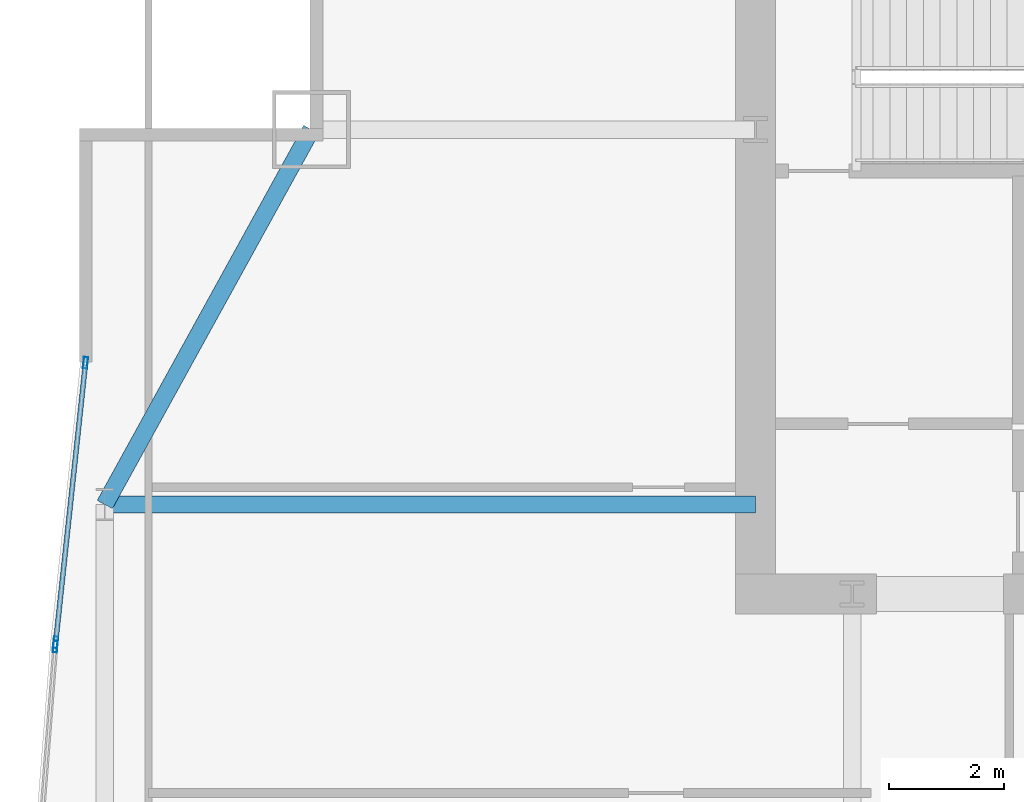
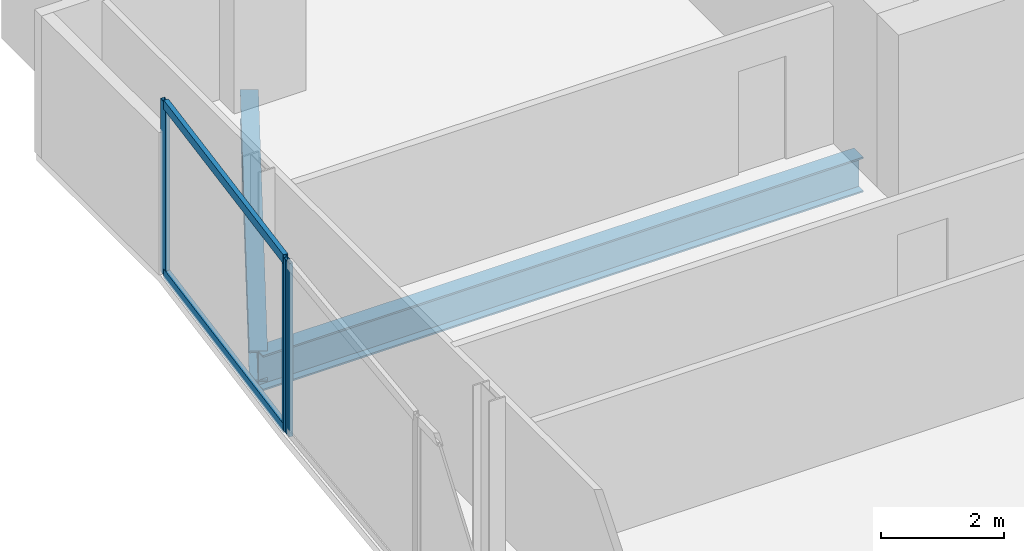
# One storey, part 17 of 29: 5 members, 2 beams, 2 elements without a shape of their own.
"""IFC4 building model written with IfcOpenShell, lengths in metres."""

from ifc_helpers import new_model, si_unit, direction, frame, origin, origin_2d, place, context, subcontext, project, spatial, hollow_rectangle, i_section, extrude, material, material_profile, profile_set, type_object, element, aggregate, save


model = new_model("IFC4")

# Units and contexts
model_context = context("Model", 3, precision=1e-05, world=origin(), true_north=direction((0.0, 1.0)))
body_context = subcontext(model_context, "Body", "Model", "MODEL_VIEW")
ifc_project = project(units=[si_unit("LENGTHUNIT", "METRE"), si_unit("AREAUNIT", "SQUARE_METRE"), si_unit("VOLUMEUNIT", "CUBIC_METRE"), si_unit("PLANEANGLEUNIT", "RADIAN"), si_unit("MASSUNIT", "GRAM", prefix="KILO")], contexts=[model_context])

# Site, building, storey
site_placement = place(None, origin())
site = spatial("IfcSite", under=ifc_project, at=site_placement, CompositionType="ELEMENT")
building_placement = place(site_placement, origin())
building = spatial("IfcBuilding", under=site, at=building_placement, Name="Khoronbel Lancet Exchange", CompositionType="ELEMENT")
storey_placement = place(building_placement, frame((0.0, 0.0, 143.39990234375)))
storey = spatial("IfcBuildingStorey", under=building, at=storey_placement, Name="L35", CompositionType="ELEMENT", Elevation=143.39990234375)

# Beams
ifc_material_1 = material(Name="Steel S355", Category="steel")
ifc_material_profile_1 = material_profile(ifc_material_1, i_section(OverallWidth=0.300048828125, OverallDepth=0.699951171875, WebThickness=0.01708984375, FlangeThickness=0.031982421875, at=origin_2d()), Name="HEB 700")
ifc_profile_set_1 = profile_set([ifc_material_profile_1], Name="Steel S355")
beam_type_1 = type_object("IfcBeamType", Name="BM-BG3", PredefinedType="BEAM", material=ifc_profile_set_1)
beam_1_placement = place(storey_placement, frame((5.27001953125, 43.199951171875, -0.510009765625), z_axis=(1.0, 0.0, 0.0), x_axis=(0.0, 1.0, 0.0)))
element("IfcBeam", 1, at=beam_1_placement, inside=storey, type_object=beam_type_1, Name="Level L35 west lens tie girder LG3W", PredefinedType="BEAM", context=body_context, shape_type="SweptSolid", body=[
    extrude(i_section(OverallWidth=0.300048828125, OverallDepth=0.699951171875, WebThickness=0.01708984375, FlangeThickness=0.031982421875, at=origin_2d()), origin(), (0.0, 0.0, 1.0), 11.280029296875),
])
ifc_material_profile_2 = material_profile(ifc_material_1, i_section(OverallWidth=0.300048828125, OverallDepth=0.60009765625, WebThickness=0.015380859375, FlangeThickness=0.030029296875, at=origin_2d()), Name="HEB 600")
ifc_profile_set_2 = profile_set([ifc_material_profile_2], Name="Steel S355")
beam_type_2 = type_object("IfcBeamType", Name="BM-BSP2", PredefinedType="SPANDREL", material=ifc_profile_set_2)
beam_2_placement = place(storey_placement, frame((8.85009765625, 49.699951171875, -0.4599609375), z_axis=(-0.482444051088, -0.875926787791, 0.0), x_axis=(0.875926787791, -0.482444051088, 0.0)))
element("IfcBeam", 2, at=beam_2_placement, inside=storey, type_object=beam_type_2, Name="Level L35 perimeter spandrel beam SP16", PredefinedType="SPANDREL", context=body_context, shape_type="SweptSolid", body=[
    extrude(i_section(OverallWidth=0.300048828125, OverallDepth=0.60009765625, WebThickness=0.015380859375, FlangeThickness=0.030029296875, at=origin_2d()), origin(), (0.0, 0.0, 1.0), 7.420654296875),
])

# Curtain wall, member
ifc_material_2 = material(Name="Low-E Solar Control Insulating Glass", Category="glass")
curtain_wall_type = type_object("IfcCurtainWallType", Name="CW-4", PredefinedType="NOTDEFINED", material=ifc_material_2)
curtain_wall_1_placement = place(storey_placement, origin())
curtain_wall_1 = element("IfcCurtainWall", 3, at=curtain_wall_1_placement, inside=storey, type_object=curtain_wall_type, Name="Unitised curtain wall CW-L35-E08", PredefinedType="NOTDEFINED")
ifc_material_3 = material(Name="Bronze-Anodised Aluminium 6063-T6", Category="aluminium")
ifc_material_profile_3 = material_profile(ifc_material_3, hollow_rectangle(XDim=0.074951171875, YDim=0.199951171875, WallThickness=0.0048828125, at=origin_2d()), Name="ALU MULLION 75x200")
ifc_profile_set_3 = profile_set([ifc_material_profile_3], Name="Bronze-Anodised Aluminium 6063-T6")
member_type_1 = type_object("IfcMemberType", Name="MEM-CWM2", PredefinedType="MULLION", material=ifc_profile_set_3)
member_1_placement = place(storey_placement, frame((4.41162109375, 40.737548828125, 0.0), z_axis=(0.0, 0.0, 1.0), x_axis=(-0.996959555693, 0.077920756627, 0.0)))
member_1 = element("IfcMember", 4, at=member_1_placement, type_object=member_type_1, Name="CW4 mullion 2", PredefinedType="MULLION", context=body_context, shape_type="SweptSolid", body=[
    extrude(hollow_rectangle(XDim=0.074951171875, YDim=0.199951171875, WallThickness=0.0048828125, at=origin_2d()), origin(), (0.0, 0.0, 1.0), 3.440185546875),
])
aggregate(curtain_wall_1, [member_1])

# Curtain wall, members
curtain_wall_2_placement = place(storey_placement, origin())
curtain_wall_2 = element("IfcCurtainWall", 5, at=curtain_wall_2_placement, inside=storey, type_object=curtain_wall_type, Name="Unitised curtain wall CW-L35-E09", PredefinedType="NOTDEFINED")
member_2_placement = place(storey_placement, frame((4.418701171875, 40.812255859375, 0.0), z_axis=(0.0, 0.0, 1.0), x_axis=(-0.994346859972, 0.106180610586, 0.0)))
member_2 = element("IfcMember", 6, at=member_2_placement, type_object=member_type_1, Name="CW4 mullion 1", PredefinedType="MULLION", context=body_context, shape_type="SweptSolid", body=[
    extrude(hollow_rectangle(XDim=0.074951171875, YDim=0.199951171875, WallThickness=0.0048828125, at=origin_2d()), origin(), (0.0, 0.0, 1.0), 3.440185546875),
])
member_3_placement = place(storey_placement, frame((4.93603515625, 45.657958984375, 0.0), z_axis=(0.0, 0.0, 1.0), x_axis=(-0.994346859972, 0.106180610586, 0.0)))
member_3 = element("IfcMember", 7, at=member_3_placement, type_object=member_type_1, Name="CW4 mullion 2", PredefinedType="MULLION", context=body_context, shape_type="SweptSolid", body=[
    extrude(hollow_rectangle(XDim=0.074951171875, YDim=0.199951171875, WallThickness=0.0048828125, at=origin_2d()), origin(), (0.0, 0.0, 1.0), 3.440185546875),
])
ifc_material_profile_4 = material_profile(ifc_material_3, hollow_rectangle(XDim=0.0849609375, YDim=0.179931640625, WallThickness=0.0048828125, at=origin_2d()), Name="ALU TRANSOM 85x180")
ifc_profile_set_4 = profile_set([ifc_material_profile_4], Name="Bronze-Anodised Aluminium 6063-T6")
member_type_2 = type_object("IfcMemberType", Name="MEM-CWT1", PredefinedType="USERDEFINED", material=ifc_profile_set_4)
member_4_placement = place(storey_placement, frame((4.422607421875, 40.849609375, 0.04248046875), z_axis=(0.106191761921, 0.994345669121, 0.0), x_axis=(-0.994345669121, 0.106191761921, 0.0)))
member_4 = element("IfcMember", 8, at=member_4_placement, type_object=member_type_2, Name="CW4 transom 1.1", ObjectType="TRANSOM", PredefinedType="USERDEFINED", context=body_context, shape_type="SweptSolid", body=[
    extrude(hollow_rectangle(XDim=0.0849609375, YDim=0.179931640625, WallThickness=0.0048828125, at=origin_2d()), origin(), (0.0, 0.0, 1.0), 4.798095703125),
])
member_5_placement = place(storey_placement, frame((4.422607421875, 40.849609375, 3.397705078125), z_axis=(0.106191761921, 0.994345669121, 0.0), x_axis=(-0.994345669121, 0.106191761921, 0.0)))
member_5 = element("IfcMember", 9, at=member_5_placement, type_object=member_type_2, Name="CW4 transom 1.2", ObjectType="TRANSOM", PredefinedType="USERDEFINED", context=body_context, shape_type="SweptSolid", body=[
    extrude(hollow_rectangle(XDim=0.0849609375, YDim=0.179931640625, WallThickness=0.0048828125, at=origin_2d()), origin(), (0.0, 0.0, 1.0), 4.798095703125),
])
aggregate(curtain_wall_2, [member_2, member_3, member_4, member_5])

save(model, "model.ifc")
